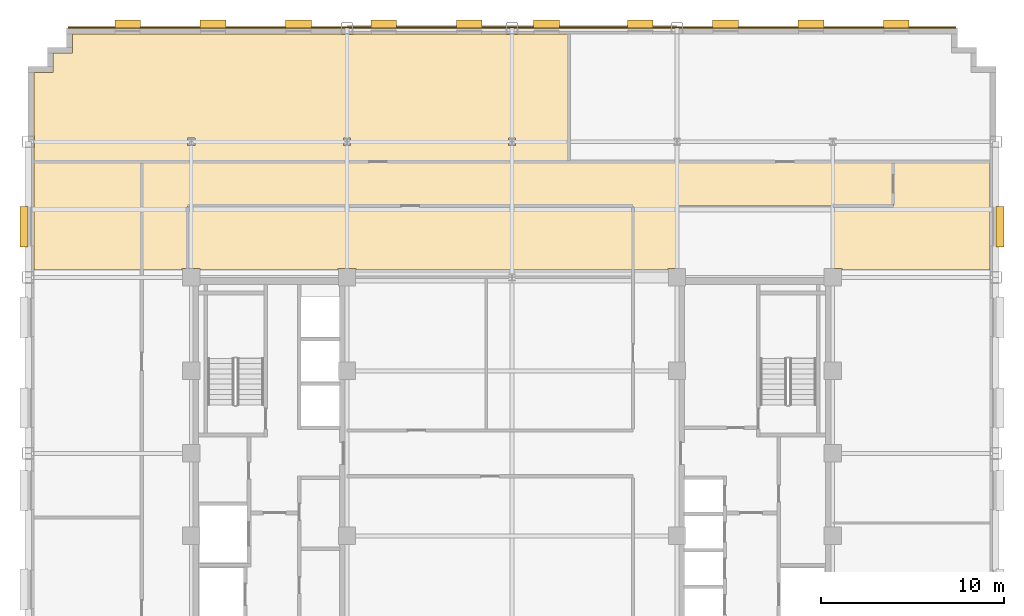
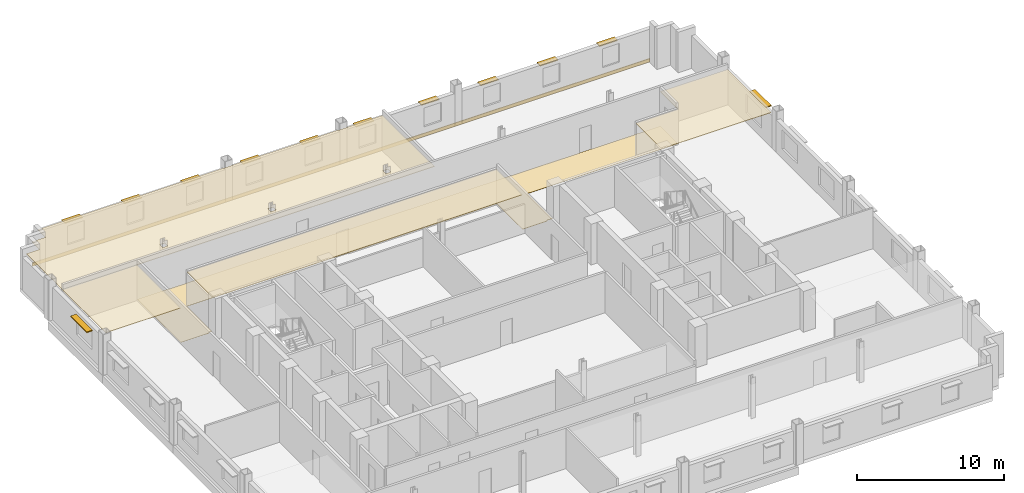
# One storey, part 14 of 14: 12 shading devices, 6 coverings.
"""IFC4 building model written with IfcOpenShell, lengths in metres."""

from ifc_helpers import new_model, si_unit, direction, frame, origin, origin_2d, place, context, subcontext, project, spatial, polyline, rectangle, outline, extrude, source, transform, mapped, material, layer, layer_set, type_object, type_shapes, element, save


model = new_model("IFC4")

# Units and contexts
model_context = context("Model", 3, precision=1e-05, world=origin(), true_north=direction((0.0, 1.0)))
body_context = subcontext(model_context, "Body", "Model", "MODEL_VIEW")
ifc_project = project(units=[si_unit("LENGTHUNIT", "METRE"), si_unit("AREAUNIT", "SQUARE_METRE"), si_unit("VOLUMEUNIT", "CUBIC_METRE"), si_unit("PLANEANGLEUNIT", "RADIAN"), si_unit("MASSUNIT", "GRAM", prefix="KILO")], contexts=[model_context])

# Site, building, storey
site_placement = place(None, origin())
site = spatial("IfcSite", under=ifc_project, at=site_placement, CompositionType="ELEMENT")
building_placement = place(site_placement, origin())
building = spatial("IfcBuilding", under=site, at=building_placement, Name="Nuvemarco Arch Tower", CompositionType="ELEMENT")
storey_placement = place(building_placement, frame((0.0, 0.0, 131.14990234375)))
storey = spatial("IfcBuildingStorey", under=building, at=storey_placement, Name="L34", CompositionType="ELEMENT", Elevation=131.14990234375)

# Coverings
ifc_material_1 = material(Name="Mineral acoustic ceiling tile")
ifc_layer_1 = layer(ifc_material_1, 0.0400390625, Name="COV-ACOUSTIC-CLG")
ifc_layer_set_1 = layer_set([ifc_layer_1], Name="Mineral acoustic ceiling tile")
covering_type_1 = type_object("IfcCoveringType", Name="COV-ACOUSTIC-CLG", PredefinedType="CEILING", material=ifc_layer_set_1)
covering_1_placement = place(storey_placement, frame((0.0, 0.0, 2.85009765625)))
element("IfcCovering", 1, at=covering_1_placement, inside=storey, type_object=covering_type_1, Name="L34 suspended acoustic ceiling 2", PredefinedType="CEILING", context=body_context, shape_type="SweptSolid", body=[
    extrude(outline(polyline([(-26.06005859375, 16.659912109375), (-26.06005859375, 17.340087890625), (-26.080078125, 17.340087890625), (-26.080078125, 20.780029296875), (-25.030029296875, 20.780029296875), (-25.030029296875, 21.830078125), (-23.97998046875, 21.830078125), (-23.97998046875, 22.8798828125), (-9.340087890625, 22.8798828125), (-9.340087890625, 22.860107421875), (-8.659912109375, 22.860107421875), (-8.659912109375, 22.8798828125), (-0.340087890625, 22.8798828125), (-0.340087890625, 22.860107421875), (0.340087890625, 22.860107421875), (0.340087890625, 22.8798828125), (3.10009765625, 22.8798828125), (3.10009765625, 15.89990234375), (-17.699951171875, 15.89990234375), (-20.199951171875, 15.89990234375), (-26.080078125, 15.89990234375), (-26.080078125, 16.659912109375), (-26.06005859375, 16.659912109375)]), holes=[polyline([(-17.304931640625, 16.804931640625), (-17.304931640625, 17.195068359375), (-17.695068359375, 17.195068359375), (-17.695068359375, 16.804931640625), (-17.304931640625, 16.804931640625)]), polyline([(-8.804931640625, 16.804931640625), (-8.804931640625, 17.195068359375), (-9.195068359375, 17.195068359375), (-9.195068359375, 16.804931640625), (-8.804931640625, 16.804931640625)]), polyline([(0.195068359375, 16.804931640625), (0.195068359375, 17.195068359375), (-0.195068359375, 17.195068359375), (-0.195068359375, 16.804931640625), (0.195068359375, 16.804931640625)])]), origin(), (0.0, 0.0, 1.0), 0.0400390625),
])
covering_2_placement = place(storey_placement, frame((0.0, 0.0, 2.85009765625)))
element("IfcCovering", 2, at=covering_2_placement, inside=storey, type_object=covering_type_1, Name="L34 suspended acoustic ceiling 3", PredefinedType="CEILING", context=body_context, shape_type="SweptSolid", body=[
    extrude(outline(polyline([(17.989990234375, 10.090087890625), (17.5, 10.090087890625), (17.5, 13.5), (20.800048828125, 13.5), (20.800048828125, 15.89990234375), (26.080078125, 15.89990234375), (26.080078125, 10.0), (17.989990234375, 10.0), (17.989990234375, 10.090087890625)])), origin(), (0.0, 0.0, 1.0), 0.0400390625),
])
covering_3_placement = place(storey_placement, frame((0.0, 0.0, 2.85009765625)))
element("IfcCovering", 3, at=covering_3_placement, inside=storey, type_object=covering_type_1, Name="L34 suspended acoustic ceiling 4", PredefinedType="CEILING", context=body_context, shape_type="SweptSolid", body=[
    extrude(outline(polyline([(-26.080078125, 15.89990234375), (-20.199951171875, 15.89990234375), (-20.199951171875, 13.5), (-20.199951171875, 10.0), (-26.080078125, 10.0), (-26.080078125, 15.89990234375)])), origin(), (0.0, 0.0, 1.0), 0.0400390625),
])
covering_4_placement = place(storey_placement, frame((0.0, 0.0, 2.85009765625)))
element("IfcCovering", 4, at=covering_4_placement, inside=storey, type_object=covering_type_1, Name="L34 suspended acoustic ceiling 6", PredefinedType="CEILING", context=body_context, shape_type="SweptSolid", body=[
    extrude(outline(polyline([(6.60009765625, 13.5), (6.60009765625, 10.0), (-8.510009765625, 10.0), (-8.510009765625, 10.090087890625), (-9.489990234375, 10.090087890625), (-9.489990234375, 10.0), (-17.010009765625, 10.0), (-17.010009765625, 10.090087890625), (-17.699951171875, 10.090087890625), (-17.699951171875, 13.5), (6.60009765625, 13.5)])), origin(), (0.0, 0.0, 1.0), 0.0400390625),
])
ifc_material_2 = material(Name="Polished granite terrazzostone flooring", Category="masonry")
ifc_layer_2 = layer(ifc_material_2, 0.02001953125, Name="COV-LOBBY-FLR")
ifc_layer_set_2 = layer_set([ifc_layer_2], Name="Polished granite terrazzostone flooring")
covering_type_2 = type_object("IfcCoveringType", Name="COV-LOBBY-FLR", PredefinedType="FLOORING", material=ifc_layer_set_2)
covering_5_placement = place(storey_placement, origin())
element("IfcCovering", 5, at=covering_5_placement, inside=storey, type_object=covering_type_2, Name="L34 polished terrazzo lobby flooring", PredefinedType="FLOORING", context=body_context, shape_type="SweptSolid", body=[
    extrude(outline(polyline([(-20.199951171875, 13.5), (-20.199951171875, 15.89990234375), (-17.699951171875, 15.89990234375), (6.60009765625, 15.89990234375), (9.0, 15.89990234375), (20.800048828125, 15.89990234375), (20.800048828125, 13.5), (9.0, 13.5), (9.0, 10.090087890625), (8.510009765625, 10.090087890625), (8.510009765625, 10.0), (6.60009765625, 10.0), (6.60009765625, 13.5), (-17.699951171875, 13.5), (-17.699951171875, 10.090087890625), (-17.989990234375, 10.090087890625), (-17.989990234375, 10.0), (-20.199951171875, 10.0), (-20.199951171875, 13.5)])), origin(), (0.0, 0.0, 1.0), 0.02001953125),
])

# Shading devices
ifc_material_3 = material(Name="Anodised aluminium 6063-T6", Category="aluminium")
shading_device_type_1 = type_object("IfcShadingDeviceType", Name="SHD-BRISE-SOLEIL", PredefinedType="USERDEFINED", material=ifc_material_3)
shared_shape_1 = source(origin(), body_context, "Body", "SweptSolid", [
    extrude(rectangle(XDim=2.199951171875, YDim=0.449951171875, at=origin_2d()), origin(), (0.0, 0.0, 1.0), 0.080078125),
])
type_shapes(shading_device_type_1, [shared_shape_1])
for number, where, z_axis, x_axis, name in (
    (6, (26.614990234375, 12.364990234375, 2.364990234375), (0.0, 0.0, 1.0), (0.0, 1.0, 0.0), "L34 horizontal brise-soleil sunshade"),
    (7, (-26.614990234375, 12.364990234375, 2.364990234375), (0.0, 0.0, 1.0), (0.0, 1.0, 0.0), "L34 horizontal brise-soleil sunshade"),
):
    element("IfcShadingDevice", number, at=place(storey_placement, frame(where, z_axis=z_axis, x_axis=x_axis)), inside=storey, type_object=shading_device_type_1, Name=name, ObjectType="SUNSHADE", PredefinedType="USERDEFINED", context=body_context, shape_type="MappedRepresentation", body=[
        mapped(shared_shape_1, transform((0.0, 0.0, 0.0), scale=1.0)),
    ])
shading_device_type_2 = type_object("IfcShadingDeviceType", Name="SHD-BRISE-NARROW", PredefinedType="USERDEFINED", material=ifc_material_3)
shared_shape_2 = source(origin(), body_context, "Body", "SweptSolid", [
    extrude(rectangle(XDim=1.39990234375, YDim=0.449951171875, at=origin_2d()), origin(), (0.0, 0.0, 1.0), 0.080078125),
])
type_shapes(shading_device_type_2, [shared_shape_2])
for number, where, z_axis, x_axis, name in (
    (8, (-20.969970703125, 23.4150390625, 2.364990234375), (0.0, 0.0, 1.0), (1.0, 0.0, 0.0), "L34 horizontal brise-soleil sunshade"),
    (9, (-16.31005859375, 23.4150390625, 2.364990234375), (0.0, 0.0, 1.0), (1.0, 0.0, 0.0), "L34 horizontal brise-soleil sunshade"),
    (10, (-11.64990234375, 23.4150390625, 2.364990234375), (0.0, 0.0, 1.0), (1.0, 0.0, 0.0), "L34 horizontal brise-soleil sunshade"),
    (11, (-6.989990234375, 23.4150390625, 2.364990234375), (0.0, 0.0, 1.0), (1.0, 0.0, 0.0), "L34 horizontal brise-soleil sunshade"),
    (12, (-2.330078125, 23.4150390625, 2.364990234375), (0.0, 0.0, 1.0), (1.0, 0.0, 0.0), "L34 horizontal brise-soleil sunshade"),
    (13, (1.8798828125, 23.4150390625, 2.364990234375), (0.0, 0.0, 1.0), (1.0, 0.0, 0.0), "L34 horizontal brise-soleil sunshade"),
    (14, (6.989990234375, 23.4150390625, 2.364990234375), (0.0, 0.0, 1.0), (1.0, 0.0, 0.0), "L34 horizontal brise-soleil sunshade"),
    (15, (11.64990234375, 23.4150390625, 2.364990234375), (0.0, 0.0, 1.0), (1.0, 0.0, 0.0), "L34 horizontal brise-soleil sunshade"),
    (16, (16.31005859375, 23.4150390625, 2.364990234375), (0.0, 0.0, 1.0), (1.0, 0.0, 0.0), "L34 horizontal brise-soleil sunshade"),
    (17, (20.969970703125, 23.4150390625, 2.364990234375), (0.0, 0.0, 1.0), (1.0, 0.0, 0.0), "L34 horizontal brise-soleil sunshade"),
):
    element("IfcShadingDevice", number, at=place(storey_placement, frame(where, z_axis=z_axis, x_axis=x_axis)), inside=storey, type_object=shading_device_type_2, Name=name, ObjectType="SUNSHADE", PredefinedType="USERDEFINED", context=body_context, shape_type="MappedRepresentation", body=[
        mapped(shared_shape_2, transform((0.0, 0.0, 0.0), scale=1.0)),
    ])

# Covering
ifc_material_4 = material(Name="Precast concrete C45/55", Category="concrete")
ifc_layer_3 = layer(ifc_material_4, 0.06005859375, Name="COV-SPANDREL-CLAD")
ifc_layer_set_3 = layer_set([ifc_layer_3], Name="Precast concrete C45/55")
covering_type_3 = type_object("IfcCoveringType", Name="COV-SPANDREL-CLAD", PredefinedType="CLADDING", material=ifc_layer_set_3)
shared_shape_3 = source(origin(), body_context, "Body", "SweptSolid", [
    extrude(rectangle(XDim=48.39990234375, YDim=0.06005859375, at=origin_2d()), origin(), (0.0, 0.0, 1.0), 0.280029296875),
])
type_shapes(covering_type_3, [shared_shape_3])
covering_6_placement = place(storey_placement, frame((0.0, 23.22900390625, -0.27978515625), z_axis=(0.0, 0.0, 1.0), x_axis=(1.0, 0.0, 0.0)))
element("IfcCovering", 18, at=covering_6_placement, inside=storey, type_object=covering_type_3, Name="L34 precast spandrel edge cladding north", PredefinedType="CLADDING", context=body_context, shape_type="MappedRepresentation", body=[
    mapped(shared_shape_3, transform((0.0, 0.0, 0.0), scale=1.0)),
])

save(model, "model.ifc")
